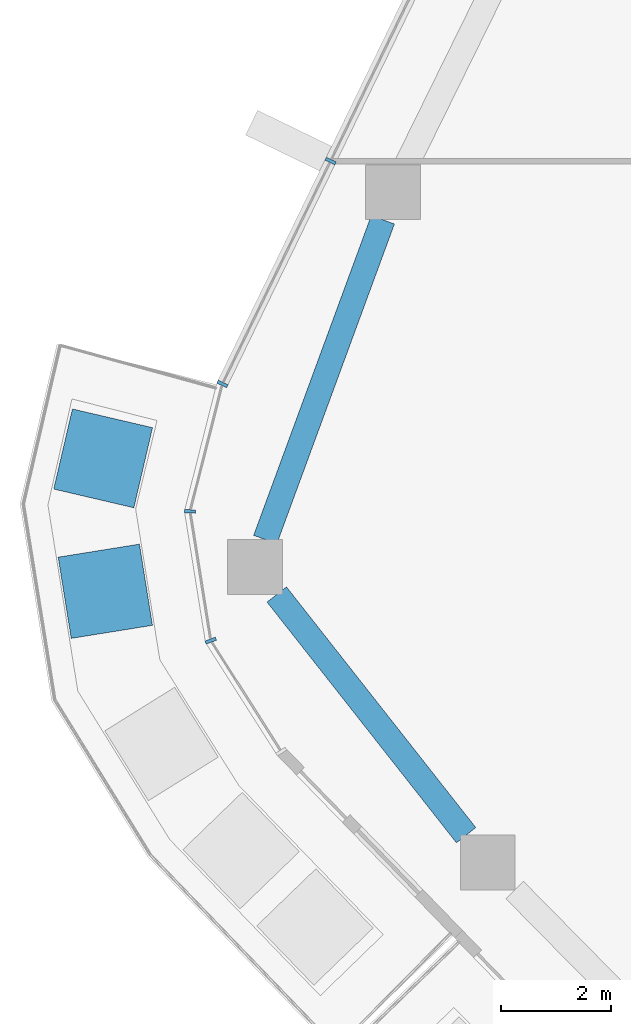
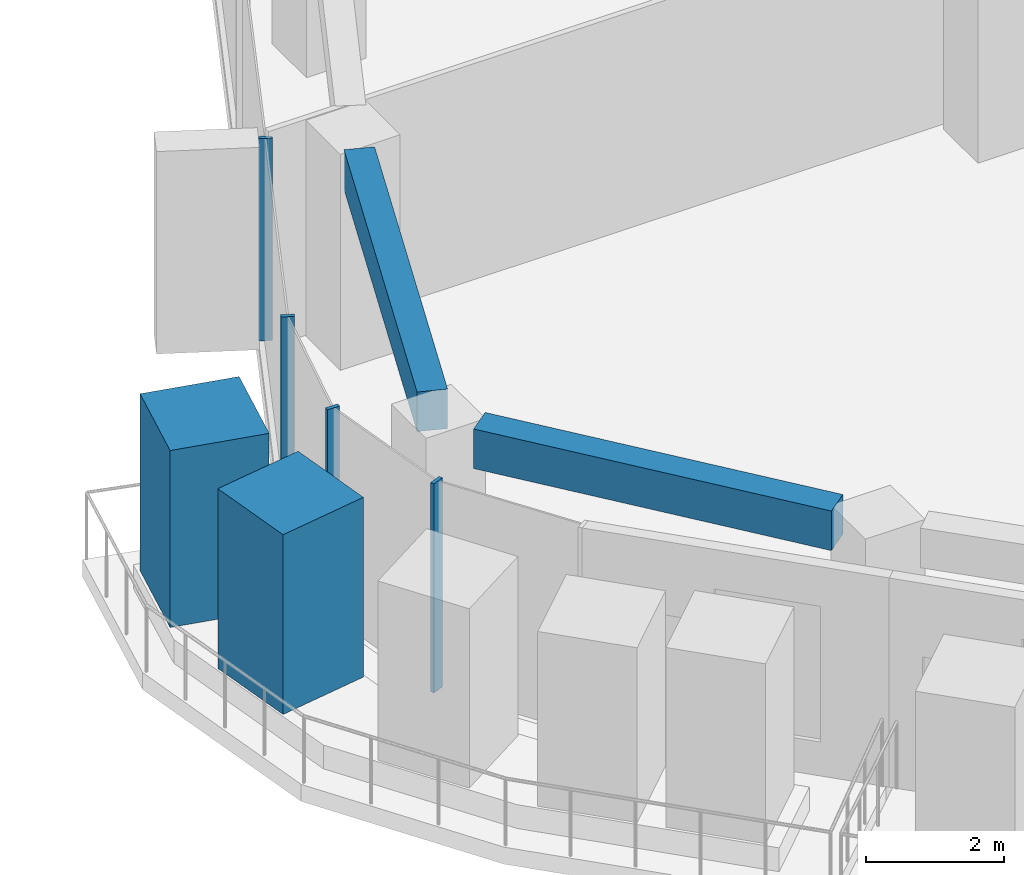
# One storey, part 3 of 24: 6 members, 2 beams, 2 elements without a shape of their own.
"""IFC4 building model written with IfcOpenShell, lengths in metres."""

from ifc_helpers import new_model, si_unit, direction, frame, origin, origin_2d, place, context, subcontext, project, spatial, rectangle, extrude, material, layer, layer_set, material_profile, profile_set, type_object, element, aggregate, save


model = new_model("IFC4")

# Units and contexts
model_context = context("Model", 3, precision=1e-05, world=origin(), true_north=direction((0.0, 1.0)))
body_context = subcontext(model_context, "Body", "Model", "MODEL_VIEW")
ifc_project = project(units=[si_unit("LENGTHUNIT", "METRE"), si_unit("AREAUNIT", "SQUARE_METRE"), si_unit("VOLUMEUNIT", "CUBIC_METRE"), si_unit("PLANEANGLEUNIT", "RADIAN"), si_unit("MASSUNIT", "GRAM", prefix="KILO")], contexts=[model_context])

# Site, building, storey
site_placement = place(None, origin())
site = spatial("IfcSite", under=ifc_project, at=site_placement, CompositionType="ELEMENT")
building_placement = place(site_placement, origin())
building = spatial("IfcBuilding", under=site, at=building_placement, Name="Dongbaek Canopy Tower", CompositionType="ELEMENT")
storey_placement = place(building_placement, frame((0.0, 0.0, 344.60009765625)))
storey = spatial("IfcBuildingStorey", under=building, at=storey_placement, Name="L74", CompositionType="ELEMENT", Elevation=344.60009765625)

# Curtain wall, members
ifc_material_1 = material(Name="Aluminium 6063-T6 pale anodised", Category="aluminium")
ifc_layer = layer(ifc_material_1, 0.199951171875)
ifc_layer_set = layer_set([ifc_layer], Name="CW-1 unitised tower curtain wall")
curtain_wall_type = type_object("IfcCurtainWallType", Name="CW-1 unitised tower curtain wall", PredefinedType="NOTDEFINED", material=ifc_layer_set)
curtain_wall_1_placement = place(storey_placement, origin())
curtain_wall_1 = element("IfcCurtainWall", 1, at=curtain_wall_1_placement, inside=storey, type_object=curtain_wall_type, Name="CW-1 curtain wall F2.1", PredefinedType="NOTDEFINED")
ifc_material_2 = material(Name="Aluminium 6063-T6 pale anodised", Category="aluminium")
ifc_material_profile_1 = material_profile(ifc_material_2, rectangle(XDim=0.199951171875, YDim=0.06005859375, at=origin_2d()), Name="CW-1 mullion 60 x 200")
ifc_profile_set_1 = profile_set([ifc_material_profile_1], Name="Aluminium 6063-T6 pale anodised")
member_type_1 = type_object("IfcMemberType", Name="CW-1 mullion 60 x 200", PredefinedType="MULLION", material=ifc_profile_set_1)
member_1_placement = place(storey_placement, frame((-29.75439453125, 0.65625, 0.119873046875), z_axis=(0.0, 0.0, 1.0), x_axis=(-0.899562865898, 0.436791312067, 0.0)))
member_1 = element("IfcMember", 2, at=member_1_placement, type_object=member_type_1, Name="CW-1 mullion F2.1.7", PredefinedType="MULLION", context=body_context, shape_type="SweptSolid", body=[
    extrude(rectangle(XDim=0.199951171875, YDim=0.06005859375, at=origin_2d()), origin(), (0.0, 0.0, 1.0), 3.580078125),
])
member_2_placement = place(storey_placement, frame((-31.727294921875, -3.406982421875, 0.119873046875), z_axis=(0.0, 0.0, 1.0), x_axis=(-0.899562865898, 0.436791312067, 0.0)))
member_2 = element("IfcMember", 3, at=member_2_placement, type_object=member_type_1, Name="CW-1 mullion F2.1.8", PredefinedType="MULLION", context=body_context, shape_type="SweptSolid", body=[
    extrude(rectangle(XDim=0.199951171875, YDim=0.06005859375, at=origin_2d()), origin(), (0.0, 0.0, 1.0), 3.580078125),
])
aggregate(curtain_wall_1, [member_1, member_2])

curtain_wall_2_placement = place(storey_placement, origin())
curtain_wall_2 = element("IfcCurtainWall", 4, at=curtain_wall_2_placement, inside=storey, type_object=curtain_wall_type, Name="CW-1 curtain wall K3.1", PredefinedType="NOTDEFINED")
member_3_placement = place(storey_placement, frame((-32.31640625, -5.73046875, 0.0), z_axis=(0.0, 0.0, 1.0), x_axis=(-0.999006675409, 0.044560772987, 0.0)))
member_3 = element("IfcMember", 5, at=member_3_placement, type_object=member_type_1, Name="CW-1 mullion K3.1.2", PredefinedType="MULLION", context=body_context, shape_type="SweptSolid", body=[
    extrude(rectangle(XDim=0.199951171875, YDim=0.06005859375, at=origin_2d()), origin(), (0.0, 0.0, 1.0), 3.699951171875),
])
member_4_placement = place(storey_placement, frame((-31.938232421875, -8.086669921875, 0.0), z_axis=(0.0, 0.0, 1.0), x_axis=(-0.934879258759, -0.354965873773, 0.0)))
member_4 = element("IfcMember", 6, at=member_4_placement, type_object=member_type_1, Name="CW-1 mullion K3.1.3", PredefinedType="MULLION", context=body_context, shape_type="SweptSolid", body=[
    extrude(rectangle(XDim=0.199951171875, YDim=0.06005859375, at=origin_2d()), origin(), (0.0, 0.0, 1.0), 3.699951171875),
])
aggregate(curtain_wall_2, [member_3, member_4])

# Beams
ifc_material_3 = material(Name="Concrete C60", Category="concrete")
ifc_material_profile_2 = material_profile(ifc_material_3, rectangle(XDim=0.449951171875, YDim=0.699951171875, at=origin_2d()), Name="RC EDGE BEAM 450x700 C60")
ifc_profile_set_2 = profile_set([ifc_material_profile_2], Name="Concrete C60")
beam_type = type_object("IfcBeamType", Name="RC EDGE BEAM 450x700 C60", PredefinedType="BEAM", material=ifc_profile_set_2)
beam_1_placement = place(storey_placement, frame((-27.282470703125, -11.634033203125, 3.469970703125), z_axis=(-0.618340786972, 0.78591009102, 0.0), x_axis=(-0.78591009102, -0.618340786972, 0.0)))
element("IfcBeam", 7, at=beam_1_placement, inside=storey, type_object=beam_type, Name="EDGEBEAM:L74:07", PredefinedType="BEAM", context=body_context, shape_type="SweptSolid", body=[
    extrude(rectangle(XDim=0.449951171875, YDim=0.699951171875, at=origin_2d()), origin(), (0.0, 0.0, 1.0), 5.58447265625),
])
beam_2_placement = place(storey_placement, frame((-30.945068359375, -6.2451171875, 3.469970703125), z_axis=(0.345138950659, 0.938551599401, 0.0), x_axis=(-0.938551599401, 0.345138950659, 0.0)))
element("IfcBeam", 8, at=beam_2_placement, inside=storey, type_object=beam_type, Name="EDGEBEAM:L74:08", PredefinedType="BEAM", context=body_context, shape_type="SweptSolid", body=[
    extrude(rectangle(XDim=0.449951171875, YDim=0.699951171875, at=origin_2d()), origin(), (0.0, 0.0, 1.0), 6.212890625),
])

# Members
ifc_material_4 = material(Name="Concrete C40/50 planter mass with planting", Category="concrete")
ifc_material_profile_3 = material_profile(ifc_material_4, rectangle(XDim=1.5, YDim=1.5, at=origin_2d()), Name="Terrace PLANTER shrub mass 1500 x 1500")
ifc_profile_set_3 = profile_set([ifc_material_profile_3], Name="Concrete C40/50 planter mass with planting")
member_type_2 = type_object("IfcMemberType", Name="Terrace PLANTER shrub mass 1500 x 1500", PredefinedType="USERDEFINED", material=ifc_profile_set_3)
member_5_placement = place(storey_placement, frame((-33.900146484375, -4.76416015625, 0.419921875), z_axis=(0.0, 0.0, 1.0), x_axis=(-0.973871508313, 0.227099725444, 0.0)))
element("IfcMember", 9, at=member_5_placement, inside=storey, type_object=member_type_2, Name="Planter shrubs L74 7.1", ObjectType="PLANTER", PredefinedType="USERDEFINED", context=body_context, shape_type="SweptSolid", body=[
    extrude(rectangle(XDim=1.5, YDim=1.5, at=origin_2d()), origin(), (0.0, 0.0, 1.0), 3.1298828125),
])
member_6_placement = place(storey_placement, frame((-33.860107421875, -7.186767578125, 0.419921875), z_axis=(0.0, 0.0, 1.0), x_axis=(-0.987362186314, -0.158480008321, 0.0)))
element("IfcMember", 10, at=member_6_placement, inside=storey, type_object=member_type_2, Name="Planter shrubs L74 7.2", ObjectType="PLANTER", PredefinedType="USERDEFINED", context=body_context, shape_type="SweptSolid", body=[
    extrude(rectangle(XDim=1.5, YDim=1.5, at=origin_2d()), origin(), (0.0, 0.0, 1.0), 3.179931640625),
])

save(model, "model.ifc")
